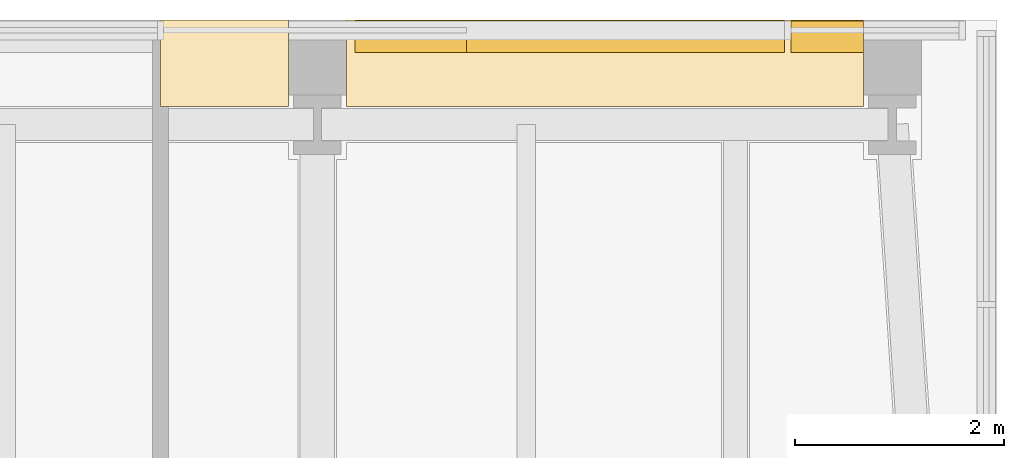
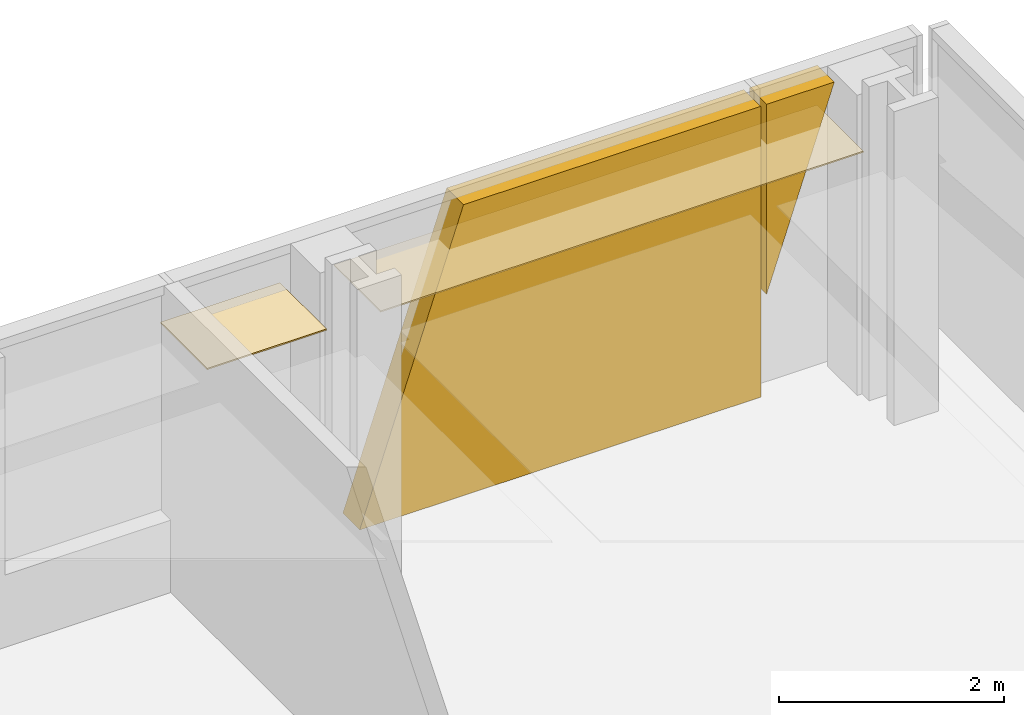
# One storey, part 20 of 20: 4 coverings.
"""IFC4 building model written with IfcOpenShell, lengths in metres."""

from ifc_helpers import new_model, si_unit, direction, frame, origin, place, context, subcontext, project, spatial, polyline, outline, extrude, material, layer, layer_set, type_object, element, save


model = new_model("IFC4")

# Units and contexts
model_context = context("Model", 3, precision=1e-05, world=origin(), true_north=direction((0.0, 1.0)))
body_context = subcontext(model_context, "Body", "Model", "MODEL_VIEW")
ifc_project = project(units=[si_unit("LENGTHUNIT", "METRE"), si_unit("AREAUNIT", "SQUARE_METRE"), si_unit("VOLUMEUNIT", "CUBIC_METRE"), si_unit("PLANEANGLEUNIT", "RADIAN"), si_unit("MASSUNIT", "GRAM", prefix="KILO")], contexts=[model_context])

# Site, building, storey
site_placement = place(None, origin())
site = spatial("IfcSite", under=ifc_project, at=site_placement, CompositionType="ELEMENT")
building_placement = place(site_placement, origin())
building = spatial("IfcBuilding", under=site, at=building_placement, Name="Fenwick Lantern Interchange", CompositionType="ELEMENT")
storey_placement = place(building_placement, frame((0.0, 0.0, 245.800048828125)))
storey = spatial("IfcBuildingStorey", under=building, at=storey_placement, Name="L57", CompositionType="ELEMENT", Elevation=245.800048828125)

# Coverings
ifc_material_1 = material(Name="Granite cladding, warm grey flamed finish, on aluminium carrier frame", Category="masonry")
ifc_layer_1 = layer(ifc_material_1, 0.300048828125)
ifc_layer_set_1 = layer_set([ifc_layer_1], Name="BRACE CASING PANEL 300")
covering_type_1 = type_object("IfcCoveringType", Name="BRACE CASING PANEL 300", PredefinedType="CLADDING", material=ifc_layer_set_1)
covering_1_placement = place(storey_placement, frame((43.39990234375, 49.89990234375, 1.093505859375), z_axis=(0.0, 0.0, 1.0), x_axis=(-1.0, 0.0, 0.0)))
element("IfcCovering", 1, at=covering_1_placement, inside=storey, type_object=covering_type_1, Name="Brace casing 09 bay 00a", PredefinedType="CLADDING", context=body_context, shape_type="SweptSolid", body=[
    extrude(outline(polyline([(1.8701171875, 0.0), (1.8701171875, 2.056396484375), (1.17578125, 2.056396484375), (1.8701171875, 0.0)])), frame((0.0, 0.2099609375, 0.0), z_axis=(0.0, -1.0, 0.0), x_axis=(1.0, 0.0, 0.0)), (0.0, 0.0, 1.0), 0.300048828125),
])
covering_2_placement = place(storey_placement, frame((43.39990234375, 49.89990234375, 0.0), z_axis=(0.0, 0.0, 1.0), x_axis=(-1.0, 0.0, 0.0)))
element("IfcCovering", 2, at=covering_2_placement, inside=storey, type_object=covering_type_1, Name="Brace casing 09 bay 01a", PredefinedType="CLADDING", context=body_context, shape_type="SweptSolid", body=[
    extrude(outline(polyline([(1.929931640625, 0.0), (6.038818359375, 0.0), (4.975341796875, 3.14990234375), (1.929931640625, 3.14990234375), (1.929931640625, 0.0)])), frame((0.0, 0.2099609375, 0.0), z_axis=(0.0, -1.0, 0.0), x_axis=(1.0, 0.0, 0.0)), (0.0, 0.0, 1.0), 0.300048828125),
])
ifc_material_2 = material(Name="Gypsum plasterboard on suspended frame, painted")
ifc_layer_2 = layer(ifc_material_2, 0.014892578125)
ifc_layer_set_2 = layer_set([ifc_layer_2], Name="PLASTERBOARD CEILING 15")
covering_type_2 = type_object("IfcCoveringType", Name="PLASTERBOARD CEILING 15", PredefinedType="CEILING", material=ifc_layer_set_2)
covering_3_placement = place(storey_placement, frame((0.0, 0.0, 2.699951171875)))
element("IfcCovering", 3, at=covering_3_placement, inside=storey, type_object=covering_type_2, Name="Guest suite 5711 ceiling", PredefinedType="CEILING", context=body_context, shape_type="SweptSolid", body=[
    extrude(outline(polyline([(37.27734375, 50.0), (37.27734375, 49.17236328125), (42.22265625, 49.17236328125), (42.22265625, 50.0), (37.27734375, 50.0)])), origin(), (0.0, 0.0, 1.0), 0.014892578125),
])
covering_4_placement = place(storey_placement, frame((0.0, 0.0, 2.699951171875)))
element("IfcCovering", 4, at=covering_4_placement, inside=storey, type_object=covering_type_2, Name="Guest suite 5711 ceiling", PredefinedType="CEILING", context=body_context, shape_type="SweptSolid", body=[
    extrude(outline(polyline([(35.5, 50.0), (35.5, 49.17236328125), (36.72265625, 49.17236328125), (36.72265625, 50.0), (35.5, 50.0)])), origin(), (0.0, 0.0, 1.0), 0.014892578125),
])

save(model, "model.ifc")
